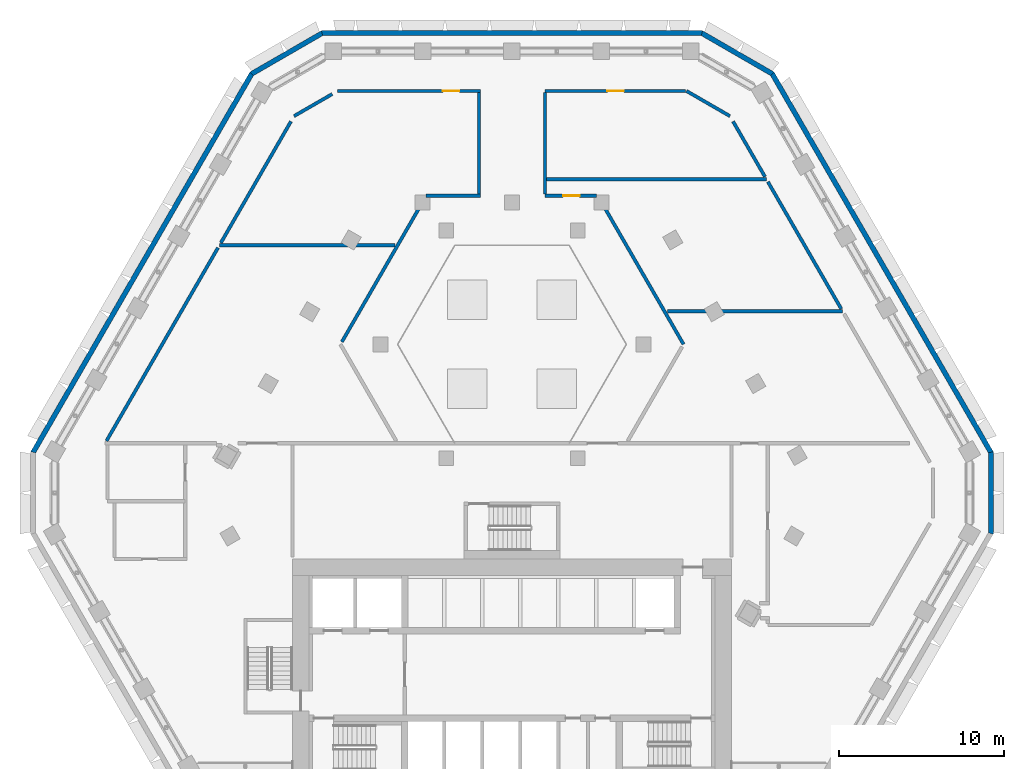
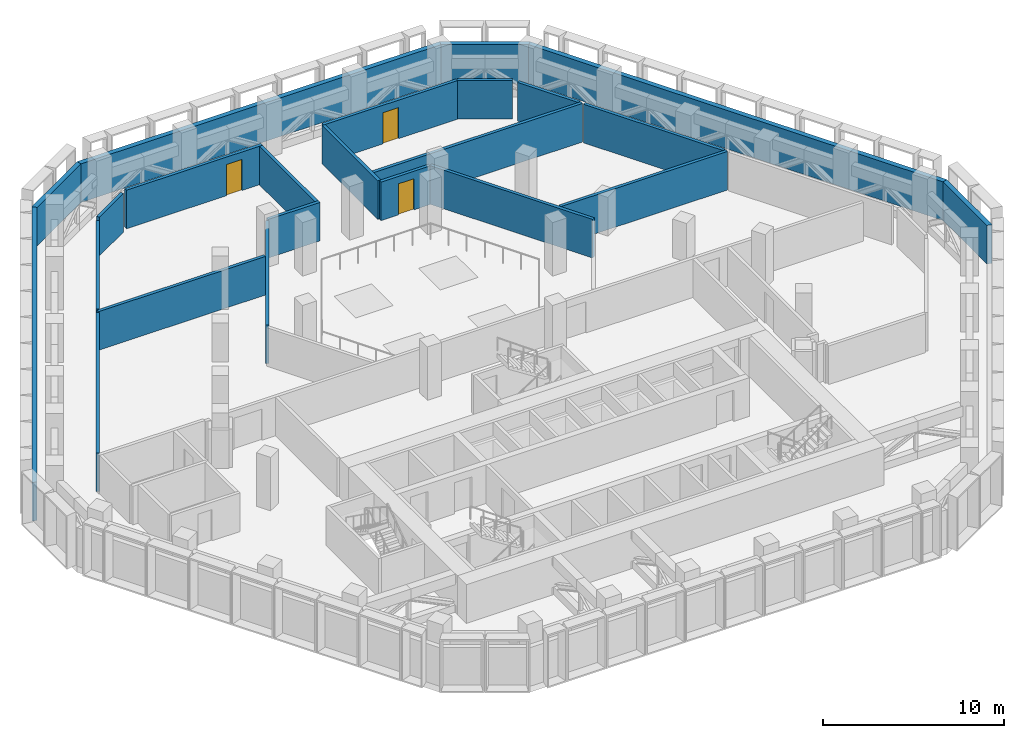
# One storey, part 14 of 23: 23 walls, 3 doors, 3 openings.
"""IFC4 building model written with IfcOpenShell, lengths in metres."""

from ifc_helpers import new_model, si_unit, direction, frame, frame_2d, origin, place, context, subcontext, project, spatial, polyline, rectangle, outline, extrude, material, layer, layer_set, type_object, element, fill, save


model = new_model("IFC4")

# Units and contexts
model_context = context("Model", 3, precision=1e-05, world=origin(), true_north=direction((0.0, 1.0)))
body_context = subcontext(model_context, "Body", "Model", "MODEL_VIEW")
ifc_project = project(units=[si_unit("LENGTHUNIT", "METRE"), si_unit("AREAUNIT", "SQUARE_METRE"), si_unit("VOLUMEUNIT", "CUBIC_METRE"), si_unit("PLANEANGLEUNIT", "RADIAN"), si_unit("MASSUNIT", "GRAM", prefix="KILO")], contexts=[model_context])

# Site, building, storey
site_placement = place(None, origin())
site = spatial("IfcSite", under=ifc_project, at=site_placement, CompositionType="ELEMENT")
building_placement = place(site_placement, origin())
building = spatial("IfcBuilding", under=site, at=building_placement, Name="Beryl Residences", CompositionType="ELEMENT")
storey_placement = place(building_placement, frame((0.0, 0.0, 108.0)))
storey = spatial("IfcBuildingStorey", under=building, at=storey_placement, Name="L33", CompositionType="ELEMENT", Elevation=108.0)

# Walls
ifc_material_1 = material(Name="Composite metal panel with mineral wool insulation")
ifc_layer_1 = layer(ifc_material_1, 0.300048828125)
ifc_layer_set_1 = layer_set([ifc_layer_1], Name="ES1 pale metal composite panel wall 300 mm")
wall_type_1 = type_object("IfcWallType", Name="ES1 pale metal composite panel wall 300 mm", PredefinedType="SOLIDWALL", material=ifc_layer_set_1)
wall_1_placement = place(storey_placement, frame((11.547119140625, 26.85009765625, 0.0), z_axis=(0.0, 0.0, 1.0), x_axis=(-1.0, 0.0, 0.0)))
element("IfcWall", 1, at=wall_1_placement, inside=storey, type_object=wall_type_1, Name="ES1 external wall L33 N", PredefinedType="SOLIDWALL", context=body_context, shape_type="SweptSolid", body=[
    extrude(outline(polyline([(0.0, -0.14990234375), (23.09423828125, -0.14990234375), (23.013916015625, 0.14990234375), (0.080322265625, 0.14990234375), (0.0, -0.14990234375)])), origin(), (0.0, 0.0, 1.0), 2.60009765625),
])
wall_2_placement = place(storey_placement, frame((-11.471923828125, 26.8701171875, 0.0), z_axis=(0.0, 0.0, 1.0), x_axis=(-0.866022959057, -0.500004234368, 0.0)))
element("IfcWall", 2, at=wall_2_placement, inside=storey, type_object=wall_type_1, Name="ES1 external wall L33 N-NW", PredefinedType="SOLIDWALL", context=body_context, shape_type="SweptSolid", body=[
    extrude(outline(polyline([(0.0, -0.14990234375), (5.0, -0.14990234375), (4.919677734375, 0.14990234375), (0.080322265625, 0.14990234375), (0.0, -0.14990234375)])), origin(), (0.0, 0.0, 1.0), 2.60009765625),
])
wall_3_placement = place(storey_placement, frame((-15.7470703125, 24.425048828125, 0.0), z_axis=(0.0, 0.0, 1.0), x_axis=(-0.500027479704, -0.866009537788, 0.0)))
element("IfcWall", 3, at=wall_3_placement, inside=storey, type_object=wall_type_1, Name="ES1 external wall L33 NW", PredefinedType="SOLIDWALL", context=body_context, shape_type="SweptSolid", body=[
    extrude(outline(polyline([(0.0, -0.14990234375), (26.55859375, -0.14990234375), (26.478271484375, 0.14990234375), (0.080322265625, 0.14990234375), (0.0, -0.14990234375)])), origin(), (0.0, 0.0, 1.0), 2.60009765625),
])
wall_4_placement = place(storey_placement, frame((29.007080078125, -3.5, 0.0), z_axis=(0.0, 0.0, 1.0), x_axis=(0.0, 1.0, 0.0)))
element("IfcWall", 4, at=wall_4_placement, inside=storey, type_object=wall_type_1, Name="ES1 external wall L33 SE-NE", PredefinedType="SOLIDWALL", context=body_context, shape_type="SweptSolid", body=[
    extrude(outline(polyline([(0.0, -0.14990234375), (5.0, -0.14990234375), (4.919677734375, 0.14990234375), (0.080322265625, 0.14990234375), (0.0, -0.14990234375)])), origin(), (0.0, 0.0, 1.0), 2.60009765625),
])
wall_5_placement = place(storey_placement, frame((29.027099609375, 1.425048828125, 0.0), z_axis=(0.0, 0.0, 1.0), x_axis=(-0.500027479704, 0.866009537788, 0.0)))
element("IfcWall", 5, at=wall_5_placement, inside=storey, type_object=wall_type_1, Name="ES1 external wall L33 NE", PredefinedType="SOLIDWALL", context=body_context, shape_type="SweptSolid", body=[
    extrude(outline(polyline([(0.0, -0.14990234375), (26.55859375, -0.14990234375), (26.478271484375, 0.14990234375), (0.080322265625, 0.14990234375), (0.0, -0.14990234375)])), origin(), (0.0, 0.0, 1.0), 2.60009765625),
])
wall_6_placement = place(storey_placement, frame((15.802001953125, 24.3701171875, 0.0), z_axis=(0.0, 0.0, 1.0), x_axis=(-0.866022959057, 0.500004234368, 0.0)))
element("IfcWall", 6, at=wall_6_placement, inside=storey, type_object=wall_type_1, Name="ES1 external wall L33 NE-N", PredefinedType="SOLIDWALL", context=body_context, shape_type="SweptSolid", body=[
    extrude(outline(polyline([(0.0, -0.14990234375), (5.0, -0.14990234375), (4.919677734375, 0.14990234375), (0.080322265625, 0.14990234375), (0.0, -0.14990234375)])), origin(), (0.0, 0.0, 1.0), 2.60009765625),
])

# Wall, opening, door
ifc_material_2 = material(Name="Double stud gypsum board wall")
ifc_layer_2 = layer(ifc_material_2, 0.199951171875)
ifc_layer_set_2 = layer_set([ifc_layer_2], Name="PT4 corridor wall 200 mm double stud")
wall_type_2 = type_object("IfcWallType", Name="PT4 corridor wall 200 mm double stud", PredefinedType="PARTITIONING", material=ifc_layer_set_2)
wall_7_placement = place(storey_placement, frame((2.0, 17.0, 0.0), z_axis=(0.0, 0.0, 1.0), x_axis=(1.0, 0.0, 0.0)))
wall_7 = element("IfcWall", 7, at=wall_7_placement, inside=storey, type_object=wall_type_2, Name="Wall PT4 L33 001", PredefinedType="PARTITIONING", context=body_context, shape_type="SweptSolid", body=[
    extrude(rectangle(XDim=3.115966796875, YDim=0.199951171875, at=frame_2d((1.55810546875, 0.0))), origin(), (0.0, 0.0, 1.0), 2.60009765625),
])
opening_1_placement = place(wall_7_placement, frame((1.097900390625, 0.0, 0.0)))
opening_1 = element("IfcOpeningElement", 8, at=opening_1_placement, cuts=wall_7, Name="Opening L33-04", PredefinedType="OPENING", context=body_context, shape_type="SweptSolid", body=[
    extrude(rectangle(XDim=1.0, YDim=2.10009765625, at=frame_2d((0.5, 1.050048828125))), frame((0.0, 0.10986328125, 0.0), z_axis=(0.0, -1.0, 0.0), x_axis=(1.0, 0.0, 0.0)), (0.0, 0.0, 1.0), 0.219970703125),
])
ifc_material_3 = material(Name="Timber door leaf", Category="wood")
door_type_1 = type_object("IfcDoorType", Name="D9 corridor door 1000 x 2100 mm", OperationType="SINGLE_SWING_LEFT", PredefinedType="DOOR", material=ifc_material_3)
door_1_placement = place(opening_1_placement, origin())
door_1 = element("IfcDoor", 9, at=door_1_placement, inside=storey, type_object=door_type_1, Name="Door L33-04 L33 001", OperationType="SINGLE_SWING_RIGHT", OverallHeight=2.10009765625, OverallWidth=1.0, PredefinedType="DOOR", context=body_context, shape_type="SweptSolid", body=[
    extrude(rectangle(XDim=1.0, YDim=2.10009765625, at=frame_2d((0.5, 1.050048828125))), frame((0.0, 0.02490234375, 0.0), z_axis=(0.0, -1.0, 0.0), x_axis=(1.0, 0.0, 0.0)), (0.0, 0.0, 1.0), 0.050048828125),
])
fill(opening_1, door_1)

# Walls
wall_8_placement = place(storey_placement, frame((15.501953125, 17.85009765625, 0.0), z_axis=(0.0, 0.0, 1.0), x_axis=(0.499945887847, -0.866056643197, 0.0)))
element("IfcWall", 10, at=wall_8_placement, inside=storey, type_object=wall_type_2, Name="Wall PT4 L33 004", PredefinedType="PARTITIONING", context=body_context, shape_type="SweptSolid", body=[
    extrude(rectangle(XDim=8.89111328125, YDim=0.199951171875, at=frame_2d((4.445556640625, 0.0))), origin(), (0.0, 0.0, 1.0), 2.60009765625),
])
ifc_material_4 = material(Name="Concrete C40/50", Category="concrete")
ifc_layer_3 = layer(ifc_material_4, 0.199951171875)
ifc_layer_set_3 = layer_set([ifc_layer_3], Name="PT9-200 plant room wall 200 mm")
wall_type_3 = type_object("IfcWallType", Name="PT9-200 plant room wall 200 mm", PredefinedType="SOLIDWALL", material=ifc_layer_set_3)
wall_9_placement = place(storey_placement, frame((9.407958984375, 10.0, 0.0), z_axis=(0.0, 0.0, 1.0), x_axis=(1.0, 0.0, 0.0)))
element("IfcWall", 11, at=wall_9_placement, inside=storey, type_object=wall_type_3, Name="Wall PT9-200 L33 007", PredefinedType="SOLIDWALL", context=body_context, shape_type="SweptSolid", body=[
    extrude(rectangle(XDim=10.6259765625, YDim=0.199951171875, at=frame_2d((5.31298828125, 0.0))), origin(), (0.0, 0.0, 1.0), 2.60009765625),
])
wall_10_placement = place(storey_placement, frame((-17.72509765625, 14.0, 0.0), z_axis=(0.0, 0.0, 1.0), x_axis=(1.0, 0.0, 0.0)))
element("IfcWall", 12, at=wall_10_placement, inside=storey, type_object=wall_type_3, Name="Wall PT9-200 L33 008", PredefinedType="SOLIDWALL", context=body_context, shape_type="SweptSolid", body=[
    extrude(rectangle(XDim=10.627197265625, YDim=0.199951171875, at=frame_2d((5.3134765625, 0.0))), origin(), (0.0, 0.0, 1.0), 2.60009765625),
])
wall_11_placement = place(storey_placement, frame((-5.196044921875, 17.0, 0.0), z_axis=(0.0, 0.0, 1.0), x_axis=(1.0, 0.0, 0.0)))
element("IfcWall", 13, at=wall_11_placement, inside=storey, type_object=wall_type_3, Name="Wall PT9-200 L33 009", PredefinedType="SOLIDWALL", context=body_context, shape_type="SweptSolid", body=[
    extrude(rectangle(XDim=3.296142578125, YDim=0.199951171875, at=frame_2d((1.64794921875, 0.0))), origin(), (0.0, 0.0, 1.0), 2.60009765625),
])
wall_12_placement = place(storey_placement, frame((2.10009765625, 18.0, 0.0), z_axis=(0.0, 0.0, 1.0), x_axis=(1.0, 0.0, 0.0)))
element("IfcWall", 14, at=wall_12_placement, inside=storey, type_object=wall_type_3, Name="Wall PT9-200 L33 010", PredefinedType="SOLIDWALL", context=body_context, shape_type="SweptSolid", body=[
    extrude(rectangle(XDim=13.31494140625, YDim=0.199951171875, at=frame_2d((6.657470703125, 0.0))), origin(), (0.0, 0.0, 1.0), 2.60009765625),
])

# Wall, opening, door
wall_13_placement = place(storey_placement, frame((-10.569091796875, 23.35009765625, 0.0), z_axis=(0.0, 0.0, 1.0), x_axis=(1.0, 0.0, 0.0)))
wall_13 = element("IfcWall", 15, at=wall_13_placement, inside=storey, type_object=wall_type_3, Name="Wall PT9-200 L33 011", PredefinedType="SOLIDWALL", context=body_context, shape_type="SweptSolid", body=[
    extrude(rectangle(XDim=8.669189453125, YDim=0.199951171875, at=frame_2d((4.33447265625, 0.0))), origin(), (0.0, 0.0, 1.0), 2.60009765625),
])
opening_2_placement = place(wall_13_placement, frame((7.3759765625, 0.0, 0.0), z_axis=(0.0, 0.0, 1.0), x_axis=(-1.0, 0.0, 0.0)))
opening_2 = element("IfcOpeningElement", 16, at=opening_2_placement, cuts=wall_13, Name="Opening L33-03", PredefinedType="OPENING", context=body_context, shape_type="SweptSolid", body=[
    extrude(rectangle(XDim=1.0, YDim=2.10009765625, at=frame_2d((0.5, 1.050048828125))), frame((0.0, 0.10986328125, 0.0), z_axis=(0.0, -1.0, 0.0), x_axis=(1.0, 0.0, 0.0)), (0.0, 0.0, 1.0), 0.219970703125),
])
ifc_material_5 = material(Name="Steel door leaf in steel frame", Category="steel")
door_type_2 = type_object("IfcDoorType", Name="D16 plant room door 1000 x 2100 mm", OperationType="SINGLE_SWING_LEFT", PredefinedType="DOOR", material=ifc_material_5)
door_2_placement = place(opening_2_placement, origin())
door_2 = element("IfcDoor", 17, at=door_2_placement, inside=storey, type_object=door_type_2, Name="Door L33-03 L33 001", OperationType="SINGLE_SWING_RIGHT", OverallHeight=2.10009765625, OverallWidth=1.0, PredefinedType="DOOR", context=body_context, shape_type="SweptSolid", body=[
    extrude(rectangle(XDim=1.0, YDim=2.10009765625, at=frame_2d((0.5, 1.050048828125))), frame((0.0, 0.02490234375, 0.0), z_axis=(0.0, -1.0, 0.0), x_axis=(1.0, 0.0, 0.0)), (0.0, 0.0, 1.0), 0.050048828125),
])
fill(opening_2, door_2)

wall_14_placement = place(storey_placement, frame((2.0, 23.35009765625, 0.0), z_axis=(0.0, 0.0, 1.0), x_axis=(1.0, 0.0, 0.0)))
wall_14 = element("IfcWall", 18, at=wall_14_placement, inside=storey, type_object=wall_type_3, Name="Wall PT9-200 L33 012", PredefinedType="SOLIDWALL", context=body_context, shape_type="SweptSolid", body=[
    extrude(rectangle(XDim=8.51904296875, YDim=0.199951171875, at=frame_2d((4.259521484375, 0.0))), origin(), (0.0, 0.0, 1.0), 2.60009765625),
])
opening_3_placement = place(wall_14_placement, frame((4.783935546875, 0.0, 0.0), z_axis=(0.0, 0.0, 1.0), x_axis=(-1.0, 0.0, 0.0)))
opening_3 = element("IfcOpeningElement", 19, at=opening_3_placement, cuts=wall_14, Name="Opening L33-05", PredefinedType="OPENING", context=body_context, shape_type="SweptSolid", body=[
    extrude(rectangle(XDim=1.0, YDim=2.10009765625, at=frame_2d((0.5, 1.050048828125))), frame((0.0, 0.10986328125, 0.0), z_axis=(0.0, -1.0, 0.0), x_axis=(1.0, 0.0, 0.0)), (0.0, 0.0, 1.0), 0.219970703125),
])
door_3_placement = place(opening_3_placement, origin())
door_3 = element("IfcDoor", 20, at=door_3_placement, inside=storey, type_object=door_type_2, Name="Door L33-05 L33 001", OperationType="SINGLE_SWING_RIGHT", OverallHeight=2.10009765625, OverallWidth=1.0, PredefinedType="DOOR", context=body_context, shape_type="SweptSolid", body=[
    extrude(rectangle(XDim=1.0, YDim=2.10009765625, at=frame_2d((0.5, 1.050048828125))), frame((0.0, 0.02490234375, 0.0), z_axis=(0.0, -1.0, 0.0), x_axis=(1.0, 0.0, 0.0)), (0.0, 0.0, 1.0), 0.050048828125),
])
fill(opening_3, door_3)

# Walls
for number, where, z_axis, x_axis, name in (
    (21, (-2.0, 17.10009765625, 0.0), (0.0, 0.0, 1.0), (0.0, 1.0, 0.0), "Wall PT9-200 L33 013"),
    (22, (2.0, 17.10009765625, 0.0), (0.0, 0.0, 1.0), (0.0, 1.0, 0.0), "Wall PT9-200 L33 014"),
):
    element("IfcWall", number, at=place(storey_placement, frame(where, z_axis=z_axis, x_axis=x_axis)), inside=storey, type_object=wall_type_3, Name=name, PredefinedType="SOLIDWALL", context=body_context, shape_type="SweptSolid", body=[
        extrude(rectangle(XDim=6.14990234375, YDim=0.199951171875, at=frame_2d((3.074951171875, 0.0))), origin(), (0.0, 0.0, 1.0), 2.60009765625),
    ])
wall_15_placement = place(storey_placement, frame((10.569091796875, 23.35009765625, 0.0), z_axis=(0.0, 0.0, 1.0), x_axis=(0.865978544239, -0.500081154332, 0.0)))
element("IfcWall", 23, at=wall_15_placement, inside=storey, type_object=wall_type_3, Name="Wall PT9-200 L33 023", PredefinedType="SOLIDWALL", context=body_context, shape_type="SweptSolid", body=[
    extrude(rectangle(XDim=3.0439453125, YDim=0.199951171875, at=frame_2d((1.52197265625, 0.0))), origin(), (0.0, 0.0, 1.0), 2.60009765625),
])
wall_16_placement = place(storey_placement, frame((5.196044921875, 17.0, 0.0), z_axis=(0.0, 0.0, 1.0), x_axis=(0.500084554436, -0.865976580754, 0.0)))
element("IfcWall", 24, at=wall_16_placement, inside=storey, type_object=wall_type_3, Name="Wall PT9-200 L33 025", PredefinedType="SOLIDWALL", context=body_context, shape_type="SweptSolid", body=[
    extrude(rectangle(XDim=10.388427734375, YDim=0.199951171875, at=frame_2d((5.1943359375, 0.0))), origin(), (0.0, 0.0, 1.0), 2.60009765625),
])
wall_17_placement = place(storey_placement, frame((13.39208984375, 21.5048828125, 0.0), z_axis=(0.0, 0.0, 1.0), x_axis=(0.49976610526, -0.866160400869, 0.0)))
element("IfcWall", 25, at=wall_17_placement, inside=storey, type_object=wall_type_3, Name="Wall PT9-200 L33 026", PredefinedType="SOLIDWALL", context=body_context, shape_type="SweptSolid", body=[
    extrude(rectangle(XDim=3.873291015625, YDim=0.199951171875, at=frame_2d((1.9365234375, 0.0))), origin(), (0.0, 0.0, 1.0), 2.60009765625),
])
wall_18_placement = place(storey_placement, frame((-13.205078125, 21.827880859375, 0.0), z_axis=(0.0, 0.0, 1.0), x_axis=(0.866057719929, 0.499944022619, 0.0)))
element("IfcWall", 26, at=wall_18_placement, inside=storey, type_object=wall_type_3, Name="Wall PT9-200 L33 028", PredefinedType="SOLIDWALL", context=body_context, shape_type="SweptSolid", body=[
    extrude(rectangle(XDim=2.670654296875, YDim=0.199951171875, at=frame_2d((1.33544921875, 0.0))), origin(), (0.0, 0.0, 1.0), 2.60009765625),
])
wall_19_placement = place(storey_placement, frame((-10.304931640625, 8.14990234375, 0.0), z_axis=(0.0, 0.0, 1.0), x_axis=(0.499918809126, 0.866072274283, 0.0)))
element("IfcWall", 27, at=wall_19_placement, inside=storey, type_object=wall_type_3, Name="Wall PT9-200 L33 031", PredefinedType="SOLIDWALL", context=body_context, shape_type="SweptSolid", body=[
    extrude(rectangle(XDim=10.045654296875, YDim=0.199951171875, at=frame_2d((5.02294921875, 0.0))), origin(), (0.0, 0.0, 1.0), 2.60009765625),
])
wall_20_placement = place(storey_placement, frame((-24.56689453125, 2.14990234375, 0.0), z_axis=(0.0, 0.0, 1.0), x_axis=(0.499987337164, 0.866032714553, 0.0)))
element("IfcWall", 28, at=wall_20_placement, inside=storey, type_object=wall_type_3, Name="Wall PT9-200 L33 033", PredefinedType="SOLIDWALL", context=body_context, shape_type="SweptSolid", body=[
    extrude(rectangle(XDim=13.510009765625, YDim=0.199951171875, at=frame_2d((6.7548828125, 0.0))), origin(), (0.0, 0.0, 1.0), 2.60009765625),
])
wall_21_placement = place(storey_placement, frame((-17.637939453125, 14.14990234375, 0.0), z_axis=(0.0, 0.0, 1.0), x_axis=(0.499951396692, 0.866053463099, 0.0)))
element("IfcWall", 29, at=wall_21_placement, inside=storey, type_object=wall_type_3, Name="Wall PT9-200 L33 034", PredefinedType="SOLIDWALL", context=body_context, shape_type="SweptSolid", body=[
    extrude(rectangle(XDim=8.492431640625, YDim=0.199951171875, at=frame_2d((4.24609375, 0.0))), origin(), (0.0, 0.0, 1.0), 2.60009765625),
])

save(model, "model.ifc")
